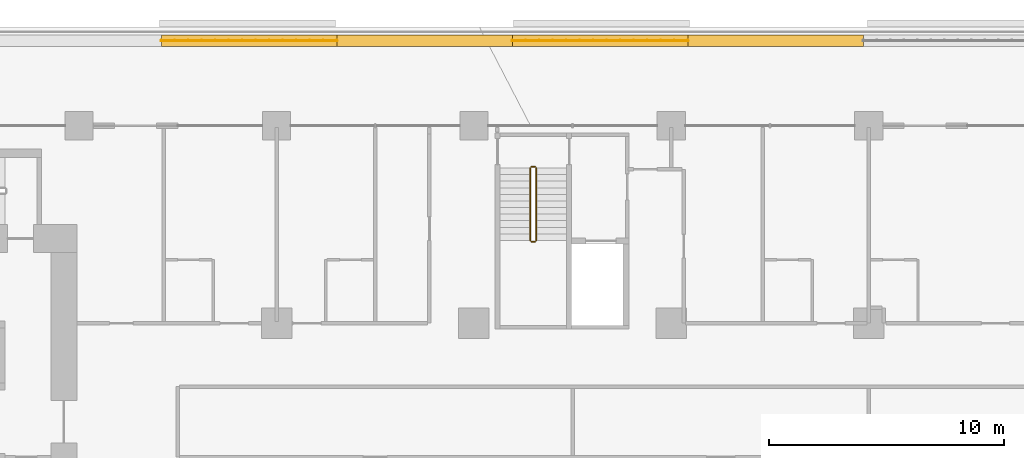
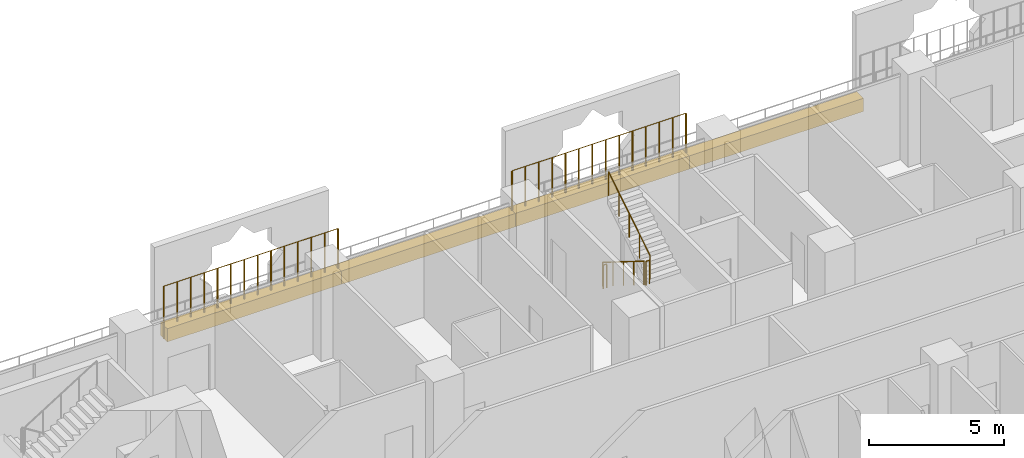
# One storey, part 27 of 28: 6 railings, 4 coverings.
"""IFC4 building model written with IfcOpenShell, lengths in metres."""

from ifc_helpers import new_model, si_unit, direction, frame, origin, origin_2d, place, context, subcontext, project, spatial, rectangle, circle, extrude, material, material_profile, profile_set, type_object, element, save


model = new_model("IFC4")

# Units and contexts
model_context = context("Model", 3, precision=1e-05, world=origin(), true_north=direction((0.0, 1.0)))
body_context = subcontext(model_context, "Body", "Model", "MODEL_VIEW")
ifc_project = project(units=[si_unit("LENGTHUNIT", "METRE"), si_unit("AREAUNIT", "SQUARE_METRE"), si_unit("VOLUMEUNIT", "CUBIC_METRE"), si_unit("PLANEANGLEUNIT", "RADIAN"), si_unit("MASSUNIT", "GRAM", prefix="KILO")], contexts=[model_context])

# Site, building, storey
site_placement = place(None, origin())
site = spatial("IfcSite", under=ifc_project, at=site_placement, CompositionType="ELEMENT")
building_placement = place(site_placement, origin())
building = spatial("IfcBuilding", under=site, at=building_placement, Name="Kawkab Arch Medical Tower", CompositionType="ELEMENT")
storey_placement = place(building_placement, frame((0.0, 0.0, 81.199951171875)))
storey = spatial("IfcBuildingStorey", under=building, at=storey_placement, Name="L18", CompositionType="ELEMENT", Elevation=81.199951171875)

# Coverings
ifc_material_1 = material(Name="Planting soil in a precast trough", Category="concrete")
ifc_material_profile = material_profile(ifc_material_1, rectangle(XDim=0.5, YDim=0.60009765625, at=origin_2d()), Name="Trough 500x600")
ifc_profile_set = profile_set([ifc_material_profile], Name="Planting soil in a precast trough")
covering_type = type_object("IfcCoveringType", Name="Planter trough 500 x 600", PredefinedType="USERDEFINED", material=ifc_profile_set)
for number, where, z_axis, x_axis, name in (
    (1, (28.695068359375, 3.6201171875, 0.300048828125), (1.0, 0.0, 0.0), (0.0, 1.0, 0.0), "Planter L18.LOG-01-01.23"),
    (2, (36.1650390625, 3.6201171875, 0.300048828125), (1.0, 0.0, 0.0), (0.0, 1.0, 0.0), "Planter L18.LOG-01-01.24"),
    (3, (43.635009765625, 3.6201171875, 0.300048828125), (1.0, 0.0, 0.0), (0.0, 1.0, 0.0), "Planter L18.LOG-01-01.25"),
):
    element("IfcCovering", number, at=place(storey_placement, frame(where, z_axis=z_axis, x_axis=x_axis)), inside=storey, type_object=covering_type, Name=name, ObjectType="PLANTER", PredefinedType="USERDEFINED", context=body_context, shape_type="SweptSolid", body=[
        extrude(rectangle(XDim=0.5, YDim=0.60009765625, at=origin_2d()), origin(), (0.0, 0.0, 1.0), 7.469970703125),
    ])
covering_placement = place(storey_placement, frame((51.10498046875, 3.6201171875, 0.300048828125), z_axis=(1.0, 0.0, 0.0), x_axis=(0.0, 1.0, 0.0)))
element("IfcCovering", 4, at=covering_placement, inside=storey, type_object=covering_type, Name="Planter L18.LOG-01-01.26", ObjectType="PLANTER", PredefinedType="USERDEFINED", context=body_context, shape_type="SweptSolid", body=[
    extrude(rectangle(XDim=0.5, YDim=0.60009765625, at=origin_2d()), origin(), (0.0, 0.0, 1.0), 7.470947265625),
])

# Railings
ifc_material_2 = material(Name="Bronze anodised aluminium trellis for climbing plants", Category="aluminium")
railing_type_1 = type_object("IfcRailingType", Name="Planting trellis 2400", PredefinedType="USERDEFINED", material=ifc_material_2)
railing_1_placement = place(storey_placement, frame((28.695068359375, 3.6201171875, 0.0)))
element("IfcRailing", 5, at=railing_1_placement, inside=storey, type_object=railing_type_1, Name="Planting trellis L18.LOG-01-01.23", ObjectType="TRELLIS", PredefinedType="USERDEFINED", context=body_context, shape_type="SweptSolid", body=[
    extrude(circle(Radius=0.01513671875, at=origin_2d()), frame((0.0, 0.0, 2.384765625), z_axis=(1.0, 0.0, 0.0), x_axis=(0.0, 1.0, 0.0)), (0.0, 0.0, 1.0), 7.469970703125),
    extrude(circle(Radius=0.030029296875, at=origin_2d()), origin(), (0.0, 0.0, 1.0), 2.369873046875),
    extrude(circle(Radius=0.030029296875, at=origin_2d()), frame((0.57470703125, 0.0, 0.0)), (0.0, 0.0, 1.0), 2.369873046875),
    extrude(circle(Radius=0.030029296875, at=origin_2d()), frame((1.149169921875, 0.0, 0.0)), (0.0, 0.0, 1.0), 2.369873046875),
    extrude(circle(Radius=0.030029296875, at=origin_2d()), frame((1.723876953125, 0.0, 0.0)), (0.0, 0.0, 1.0), 2.369873046875),
    extrude(circle(Radius=0.030029296875, at=origin_2d()), frame((2.29833984375, 0.0, 0.0)), (0.0, 0.0, 1.0), 2.369873046875),
    extrude(circle(Radius=0.030029296875, at=origin_2d()), frame((2.873046875, 0.0, 0.0)), (0.0, 0.0, 1.0), 2.369873046875),
    extrude(circle(Radius=0.030029296875, at=origin_2d()), frame((3.44775390625, 0.0, 0.0)), (0.0, 0.0, 1.0), 2.369873046875),
    extrude(circle(Radius=0.030029296875, at=origin_2d()), frame((4.022216796875, 0.0, 0.0)), (0.0, 0.0, 1.0), 2.369873046875),
    extrude(circle(Radius=0.030029296875, at=origin_2d()), frame((4.596923828125, 0.0, 0.0)), (0.0, 0.0, 1.0), 2.369873046875),
    extrude(circle(Radius=0.030029296875, at=origin_2d()), frame((5.171630859375, 0.0, 0.0)), (0.0, 0.0, 1.0), 2.369873046875),
    extrude(circle(Radius=0.030029296875, at=origin_2d()), frame((5.74609375, 0.0, 0.0)), (0.0, 0.0, 1.0), 2.369873046875),
    extrude(circle(Radius=0.030029296875, at=origin_2d()), frame((6.32080078125, 0.0, 0.0)), (0.0, 0.0, 1.0), 2.369873046875),
    extrude(circle(Radius=0.030029296875, at=origin_2d()), frame((6.895263671875, 0.0, 0.0)), (0.0, 0.0, 1.0), 2.369873046875),
    extrude(circle(Radius=0.030029296875, at=origin_2d()), frame((7.469970703125, 0.0, 0.0)), (0.0, 0.0, 1.0), 2.369873046875),
])
railing_2_placement = place(storey_placement, frame((43.635009765625, 3.6201171875, 0.0)))
element("IfcRailing", 6, at=railing_2_placement, inside=storey, type_object=railing_type_1, Name="Planting trellis L18.LOG-01-01.25", ObjectType="TRELLIS", PredefinedType="USERDEFINED", context=body_context, shape_type="SweptSolid", body=[
    extrude(circle(Radius=0.01513671875, at=origin_2d()), frame((0.0, 0.0, 2.384765625), z_axis=(1.0, 0.0, 0.0), x_axis=(0.0, 1.0, 0.0)), (0.0, 0.0, 1.0), 7.469970703125),
    extrude(circle(Radius=0.030029296875, at=origin_2d()), origin(), (0.0, 0.0, 1.0), 2.369873046875),
    extrude(circle(Radius=0.030029296875, at=origin_2d()), frame((0.57470703125, 0.0, 0.0)), (0.0, 0.0, 1.0), 2.369873046875),
    extrude(circle(Radius=0.030029296875, at=origin_2d()), frame((1.149169921875, 0.0, 0.0)), (0.0, 0.0, 1.0), 2.369873046875),
    extrude(circle(Radius=0.030029296875, at=origin_2d()), frame((1.723876953125, 0.0, 0.0)), (0.0, 0.0, 1.0), 2.369873046875),
    extrude(circle(Radius=0.030029296875, at=origin_2d()), frame((2.29833984375, 0.0, 0.0)), (0.0, 0.0, 1.0), 2.369873046875),
    extrude(circle(Radius=0.030029296875, at=origin_2d()), frame((2.873046875, 0.0, 0.0)), (0.0, 0.0, 1.0), 2.369873046875),
    extrude(circle(Radius=0.030029296875, at=origin_2d()), frame((3.44775390625, 0.0, 0.0)), (0.0, 0.0, 1.0), 2.369873046875),
    extrude(circle(Radius=0.030029296875, at=origin_2d()), frame((4.022216796875, 0.0, 0.0)), (0.0, 0.0, 1.0), 2.369873046875),
    extrude(circle(Radius=0.030029296875, at=origin_2d()), frame((4.596923828125, 0.0, 0.0)), (0.0, 0.0, 1.0), 2.369873046875),
    extrude(circle(Radius=0.030029296875, at=origin_2d()), frame((5.171630859375, 0.0, 0.0)), (0.0, 0.0, 1.0), 2.369873046875),
    extrude(circle(Radius=0.030029296875, at=origin_2d()), frame((5.74609375, 0.0, 0.0)), (0.0, 0.0, 1.0), 2.369873046875),
    extrude(circle(Radius=0.030029296875, at=origin_2d()), frame((6.32080078125, 0.0, 0.0)), (0.0, 0.0, 1.0), 2.369873046875),
    extrude(circle(Radius=0.030029296875, at=origin_2d()), frame((6.895263671875, 0.0, 0.0)), (0.0, 0.0, 1.0), 2.369873046875),
    extrude(circle(Radius=0.030029296875, at=origin_2d()), frame((7.469970703125, 0.0, 0.0)), (0.0, 0.0, 1.0), 2.369873046875),
])
ifc_material_3 = material(Name="Stainless steel", Category="steel")
railing_type_2 = type_object("IfcRailingType", Name="Stair guard 1100", PredefinedType="GUARDRAIL", material=ifc_material_3)
railing_3_placement = place(storey_placement, frame((44.39990234375, -1.800048828125, 0.175048828125)))
element("IfcRailing", 7, at=railing_3_placement, inside=storey, type_object=railing_type_2, Name="L18 ST5 stair guard 1", PredefinedType="GUARDRAIL", context=body_context, shape_type="SweptSolid", body=[
    extrude(circle(Radius=0.02392578125, at=origin_2d()), frame((0.0, 0.0, 1.076171875), z_axis=(0.0, -0.847979421464, 0.530029150871), x_axis=(1.0, 0.0, 0.0)), (0.0, 0.0, 1.0), 3.632080078125),
    extrude(circle(Radius=0.02099609375, at=origin_2d()), origin(), (0.0, 0.0, 1.0), 1.052001953125),
    extrude(circle(Radius=0.02099609375, at=origin_2d()), frame((0.0, -0.77001953125, 0.481201171875)), (0.0, 0.0, 1.0), 1.052001953125),
    extrude(circle(Radius=0.02099609375, at=origin_2d()), frame((0.0, -1.5400390625, 0.96240234375)), (0.0, 0.0, 1.0), 1.052001953125),
    extrude(circle(Radius=0.02099609375, at=origin_2d()), frame((0.0, -2.309814453125, 1.44384765625)), (0.0, 0.0, 1.0), 1.052001953125),
    extrude(circle(Radius=0.02099609375, at=origin_2d()), frame((0.0, -3.079833984375, 1.925048828125)), (0.0, 0.0, 1.0), 1.052001953125),
])
railing_4_placement = place(storey_placement, frame((44.449951171875, -4.929931640625, 2.10009765625)))
element("IfcRailing", 8, at=railing_4_placement, inside=storey, type_object=railing_type_2, Name="L18 ST5 stair guard 2", PredefinedType="GUARDRAIL", context=body_context, shape_type="SweptSolid", body=[
    extrude(circle(Radius=0.02392578125, at=origin_2d()), frame((0.0, 0.0, 1.076171875), z_axis=(1.0, 0.0, 0.0), x_axis=(0.0, 1.0, 0.0)), (0.0, 0.0, 1.0), 0.150146484375),
    extrude(circle(Radius=0.02099609375, at=origin_2d()), origin(), (0.0, 0.0, 1.0), 1.052001953125),
    extrude(circle(Radius=0.02099609375, at=origin_2d()), frame((0.150146484375, 0.0, 0.0)), (0.0, 0.0, 1.0), 1.052001953125),
])
railing_5_placement = place(storey_placement, frame((44.64990234375, -4.8798828125, 2.275146484375)))
element("IfcRailing", 9, at=railing_5_placement, inside=storey, type_object=railing_type_2, Name="L18 ST5 stair guard 3", PredefinedType="GUARDRAIL", context=body_context, shape_type="SweptSolid", body=[
    extrude(circle(Radius=0.02392578125, at=origin_2d()), frame((0.0, 0.0, 1.076171875), z_axis=(0.0, 0.848009633417, 0.529980812513), x_axis=(-1.0, 0.0, 0.0)), (0.0, 0.0, 1.0), 3.6318359375),
    extrude(circle(Radius=0.02099609375, at=origin_2d()), origin(), (0.0, 0.0, 1.0), 1.052001953125),
    extrude(circle(Radius=0.02099609375, at=origin_2d()), frame((0.0, 0.77001953125, 0.481201171875)), (0.0, 0.0, 1.0), 1.052001953125),
    extrude(circle(Radius=0.02099609375, at=origin_2d()), frame((0.0, 1.5400390625, 0.96240234375)), (0.0, 0.0, 1.0), 1.052001953125),
    extrude(circle(Radius=0.02099609375, at=origin_2d()), frame((0.0, 2.309814453125, 1.443603515625)), (0.0, 0.0, 1.0), 1.052001953125),
    extrude(circle(Radius=0.02099609375, at=origin_2d()), frame((0.0, 3.079833984375, 1.9248046875)), (0.0, 0.0, 1.0), 1.052001953125),
])
railing_6_placement = place(storey_placement, frame((44.449951171875, -1.75, 0.0)))
element("IfcRailing", 10, at=railing_6_placement, inside=storey, type_object=railing_type_2, Name="L18 ST5 stair guard 4", PredefinedType="GUARDRAIL", context=body_context, shape_type="SweptSolid", body=[
    extrude(circle(Radius=0.02392578125, at=origin_2d()), frame((0.0, 0.0, 1.076171875), z_axis=(1.0, 0.0, 0.0), x_axis=(0.0, 1.0, 0.0)), (0.0, 0.0, 1.0), 0.150146484375),
    extrude(circle(Radius=0.02099609375, at=origin_2d()), origin(), (0.0, 0.0, 1.0), 1.052001953125),
    extrude(circle(Radius=0.02099609375, at=origin_2d()), frame((0.150146484375, 0.0, 0.0)), (0.0, 0.0, 1.0), 1.052001953125),
])

save(model, "model.ifc")
